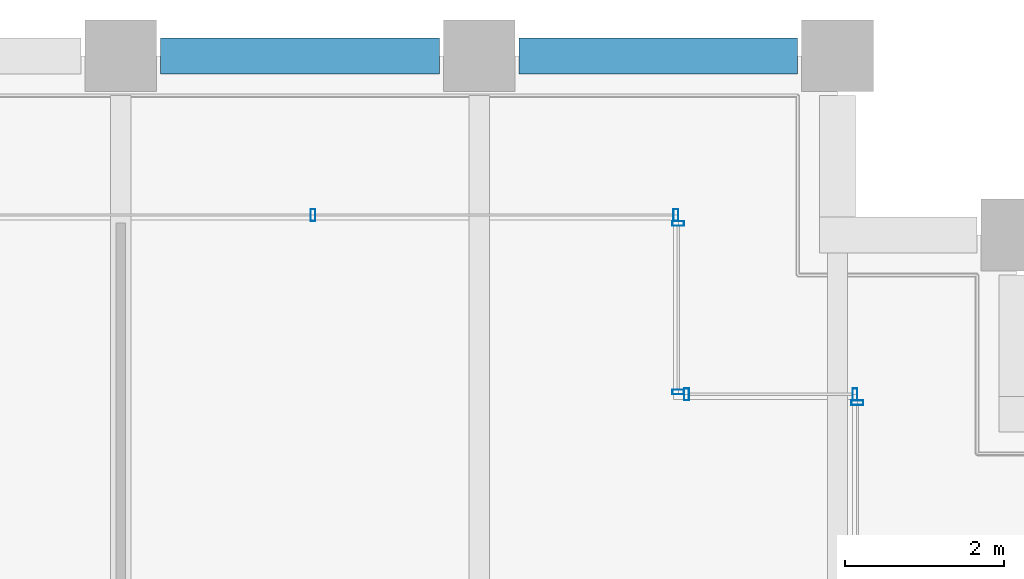
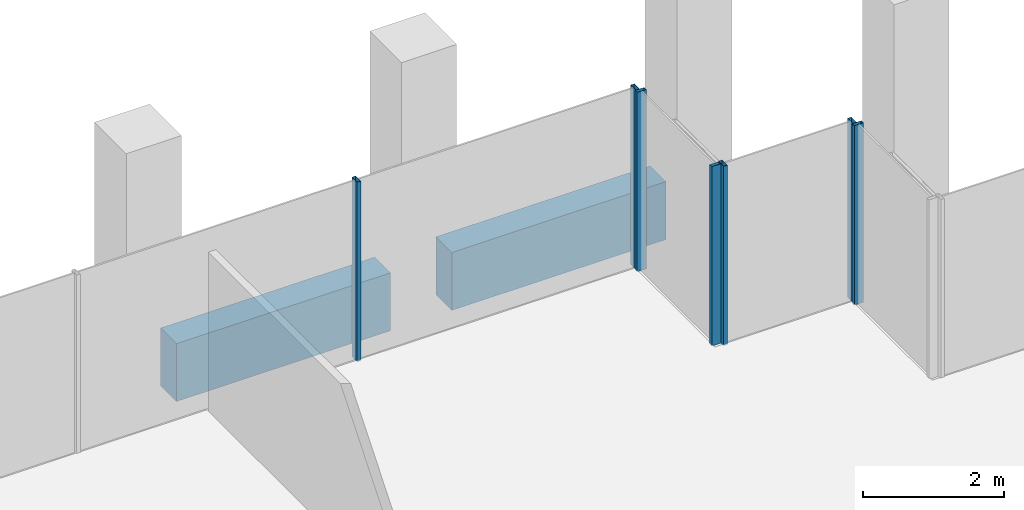
# One storey, part 26 of 44: 7 members, 2 beams, 4 elements without a shape of their own.
"""IFC4 building model written with IfcOpenShell, lengths in metres."""

from ifc_helpers import new_model, si_unit, direction, frame, origin, origin_2d, place, context, subcontext, project, spatial, rectangle, hollow_rectangle, extrude, material, material_profile, profile_set, type_object, element, aggregate, save


model = new_model("IFC4")

# Units and contexts
model_context = context("Model", 3, precision=1e-05, world=origin(), true_north=direction((0.0, 1.0)))
body_context = subcontext(model_context, "Body", "Model", "MODEL_VIEW")
ifc_project = project(units=[si_unit("LENGTHUNIT", "METRE"), si_unit("AREAUNIT", "SQUARE_METRE"), si_unit("VOLUMEUNIT", "CUBIC_METRE"), si_unit("PLANEANGLEUNIT", "RADIAN"), si_unit("MASSUNIT", "GRAM", prefix="KILO")], contexts=[model_context])

# Site, building, storey
site_placement = place(None, origin())
site = spatial("IfcSite", under=ifc_project, at=site_placement, CompositionType="ELEMENT")
building_placement = place(site_placement, origin())
building = spatial("IfcBuilding", under=site, at=building_placement, Name="Altepetl Exchange Towers", CompositionType="ELEMENT")
storey_placement = place(building_placement, frame((0.0, 0.0, 143.800048828125)))
storey = spatial("IfcBuildingStorey", under=building, at=storey_placement, Name="L35", CompositionType="ELEMENT", Elevation=143.800048828125)

# Curtain wall, member
ifc_material_1 = material(Name="Aluminium 6063-T6 glazing", Category="aluminium")
curtain_wall_type = type_object("IfcCurtainWallType", Name="Loggia glazing system", PredefinedType="NOTDEFINED", material=ifc_material_1)
curtain_wall_1_placement = place(storey_placement, origin())
curtain_wall_1 = element("IfcCurtainWall", 1, at=curtain_wall_1_placement, inside=storey, type_object=curtain_wall_type, Name="CW1 run", PredefinedType="NOTDEFINED")
ifc_material_2 = material(Name="Aluminium 6063-T6", Category="aluminium")
ifc_material_profile_1 = material_profile(ifc_material_2, hollow_rectangle(XDim=0.06005859375, YDim=0.14990234375, WallThickness=0.0029296875, at=origin_2d()), Name="Mullion 60x150 aluminium")
ifc_profile_set_1 = profile_set([ifc_material_profile_1], Name="Aluminium 6063-T6")
member_type = type_object("IfcMemberType", Name="Mullion 60x150 aluminium", PredefinedType="MULLION", material=ifc_profile_set_1)
member_1_placement = place(storey_placement, frame((67.75, 67.64501953125, 0.0), z_axis=(0.0, 0.0, 1.0), x_axis=(0.0, 1.0, 0.0)))
member_1 = element("IfcMember", 2, at=member_1_placement, type_object=member_type, Name="MU1 mullion", PredefinedType="MULLION", context=body_context, shape_type="SweptSolid", body=[
    extrude(hollow_rectangle(XDim=0.06005859375, YDim=0.14990234375, WallThickness=0.0029296875, at=origin_2d()), origin(), (0.0, 0.0, 1.0), 3.099853515625),
])
aggregate(curtain_wall_1, [member_1])

# Curtain wall, members
curtain_wall_2_placement = place(storey_placement, origin())
curtain_wall_2 = element("IfcCurtainWall", 3, at=curtain_wall_2_placement, inside=storey, type_object=curtain_wall_type, Name="CW1 run", PredefinedType="NOTDEFINED")
member_2_placement = place(storey_placement, frame((67.719970703125, 67.75, 0.0), z_axis=(0.0, 0.0, 1.0), x_axis=(-1.0, 0.0, 0.0)))
member_2 = element("IfcMember", 4, at=member_2_placement, type_object=member_type, Name="MU1 mullion", PredefinedType="MULLION", context=body_context, shape_type="SweptSolid", body=[
    extrude(hollow_rectangle(XDim=0.06005859375, YDim=0.14990234375, WallThickness=0.0029296875, at=origin_2d()), origin(), (0.0, 0.0, 1.0), 3.099853515625),
])
member_3_placement = place(storey_placement, frame((65.60498046875, 67.75, 0.0), z_axis=(0.0, 0.0, 1.0), x_axis=(-1.0, 0.0, 0.0)))
member_3 = element("IfcMember", 5, at=member_3_placement, type_object=member_type, Name="MU1 mullion", PredefinedType="MULLION", context=body_context, shape_type="SweptSolid", body=[
    extrude(hollow_rectangle(XDim=0.06005859375, YDim=0.14990234375, WallThickness=0.0029296875, at=origin_2d()), origin(), (0.0, 0.0, 1.0), 3.099853515625),
])
aggregate(curtain_wall_2, [member_2, member_3])

curtain_wall_3_placement = place(storey_placement, origin())
curtain_wall_3 = element("IfcCurtainWall", 6, at=curtain_wall_3_placement, inside=storey, type_object=curtain_wall_type, Name="CW1 run", PredefinedType="NOTDEFINED")
member_4_placement = place(storey_placement, frame((65.5, 67.780029296875, 0.0), z_axis=(0.0, 0.0, 1.0), x_axis=(0.0, 1.0, 0.0)))
member_4 = element("IfcMember", 7, at=member_4_placement, type_object=member_type, Name="MU1 mullion", PredefinedType="MULLION", context=body_context, shape_type="SweptSolid", body=[
    extrude(hollow_rectangle(XDim=0.06005859375, YDim=0.14990234375, WallThickness=0.0029296875, at=origin_2d()), origin(), (0.0, 0.0, 1.0), 3.099853515625),
])
member_5_placement = place(storey_placement, frame((65.5, 69.89501953125, 0.0), z_axis=(0.0, 0.0, 1.0), x_axis=(0.0, 1.0, 0.0)))
member_5 = element("IfcMember", 8, at=member_5_placement, type_object=member_type, Name="MU1 mullion", PredefinedType="MULLION", context=body_context, shape_type="SweptSolid", body=[
    extrude(hollow_rectangle(XDim=0.06005859375, YDim=0.14990234375, WallThickness=0.0029296875, at=origin_2d()), origin(), (0.0, 0.0, 1.0), 3.099853515625),
])
aggregate(curtain_wall_3, [member_4, member_5])

curtain_wall_4_placement = place(storey_placement, origin())
curtain_wall_4 = element("IfcCurtainWall", 9, at=curtain_wall_4_placement, inside=storey, type_object=curtain_wall_type, Name="CW1 run", PredefinedType="NOTDEFINED")
member_6_placement = place(storey_placement, frame((65.469970703125, 70.0, 0.0), z_axis=(0.0, 0.0, 1.0), x_axis=(-1.0, 0.0, 0.0)))
member_6 = element("IfcMember", 10, at=member_6_placement, type_object=member_type, Name="MU1 mullion", PredefinedType="MULLION", context=body_context, shape_type="SweptSolid", body=[
    extrude(hollow_rectangle(XDim=0.06005859375, YDim=0.14990234375, WallThickness=0.0029296875, at=origin_2d()), origin(), (0.0, 0.0, 1.0), 3.099853515625),
])
member_7_placement = place(storey_placement, frame((60.9150390625, 70.0, 0.0), z_axis=(0.0, 0.0, 1.0), x_axis=(-1.0, 0.0, 0.0)))
member_7 = element("IfcMember", 11, at=member_7_placement, type_object=member_type, Name="MU1 mullion", PredefinedType="MULLION", context=body_context, shape_type="SweptSolid", body=[
    extrude(hollow_rectangle(XDim=0.06005859375, YDim=0.14990234375, WallThickness=0.0029296875, at=origin_2d()), origin(), (0.0, 0.0, 1.0), 3.099853515625),
])
aggregate(curtain_wall_4, [member_6, member_7])

# Beams
ifc_material_3 = material(Name="Concrete C50/60 precast with cantera rosa facing", Category="concrete")
ifc_material_profile_2 = material_profile(ifc_material_3, rectangle(XDim=0.449951171875, YDim=1.0, at=origin_2d()), Name="450 x 1000")
ifc_profile_set_2 = profile_set([ifc_material_profile_2], Name="Concrete C50/60 precast with cantera rosa facing")
beam_type = type_object("IfcBeamType", Name="Spandrel beam 450x1000 cantera rosa", PredefinedType="SPANDREL", material=ifc_profile_set_2)
for number, where, z_axis, x_axis, name in (
    (12, (67.0, 72.0, -0.650146484375), (-1.0, 0.0, 0.0), (0.0, -1.0, 0.0), "sp:A:L35:024"),
    (13, (62.5, 72.0, -0.650146484375), (-1.0, 0.0, 0.0), (0.0, -1.0, 0.0), "sp:A:L35:025"),
):
    element("IfcBeam", number, at=place(storey_placement, frame(where, z_axis=z_axis, x_axis=x_axis)), inside=storey, type_object=beam_type, Name=name, PredefinedType="SPANDREL", context=body_context, shape_type="SweptSolid", body=[
        extrude(rectangle(XDim=0.449951171875, YDim=1.0, at=origin_2d()), origin(), (0.0, 0.0, 1.0), 3.5),
    ])

save(model, "model.ifc")
